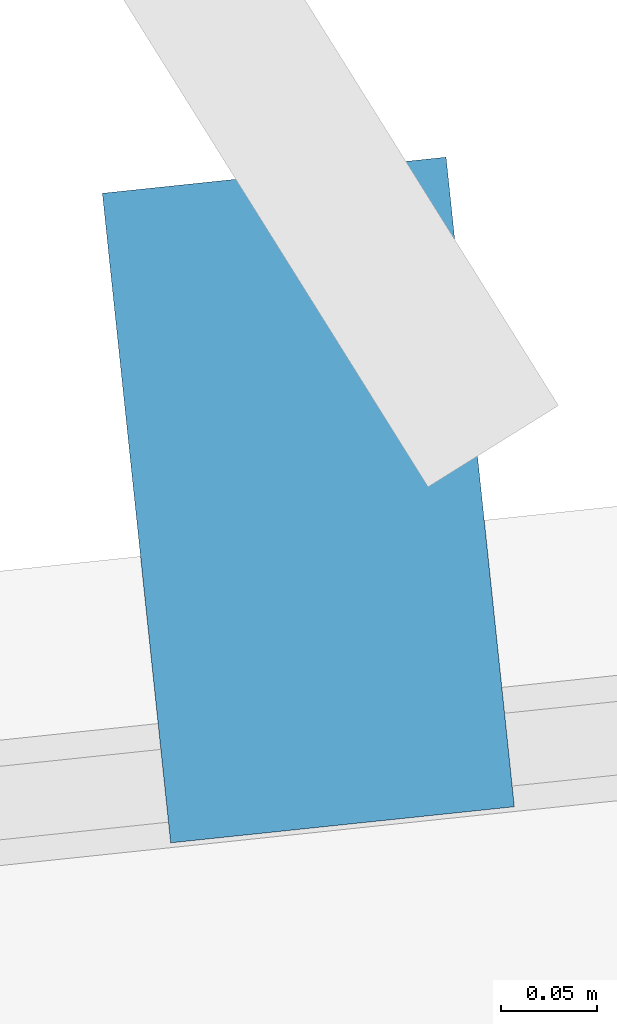
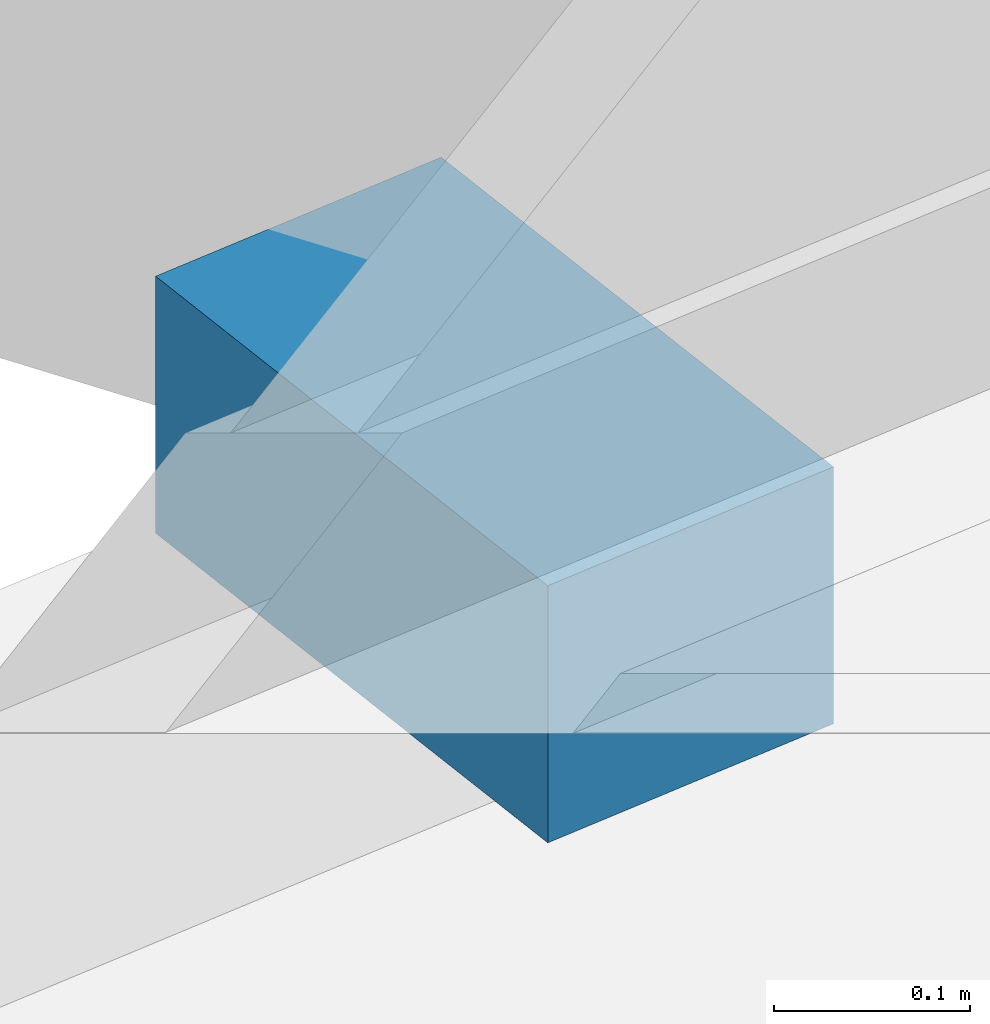
# One storey, part 15 of 20: 1 discrete accessory.
"""IFC4 building model written with IfcOpenShell, lengths in metres."""

from ifc_helpers import new_model, si_unit, direction, frame, origin, origin_2d, place, context, subcontext, project, spatial, rectangle, extrude, material, type_object, element, save


model = new_model("IFC4")

# Units and contexts
model_context = context("Model", 3, precision=1e-05, world=origin(), true_north=direction((0.0, 1.0)))
body_context = subcontext(model_context, "Body", "Model", "MODEL_VIEW")
ifc_project = project(units=[si_unit("LENGTHUNIT", "METRE"), si_unit("AREAUNIT", "SQUARE_METRE"), si_unit("VOLUMEUNIT", "CUBIC_METRE"), si_unit("PLANEANGLEUNIT", "RADIAN"), si_unit("MASSUNIT", "GRAM", prefix="KILO")], contexts=[model_context])

# Site, building, storey
site_placement = place(None, origin())
site = spatial("IfcSite", under=ifc_project, at=site_placement, CompositionType="ELEMENT")
building_placement = place(site_placement, origin())
building = spatial("IfcBuilding", under=site, at=building_placement, Name="Solmavex Isthmus Hotel", CompositionType="ELEMENT")
storey_placement = place(building_placement, frame((0.0, 0.0, 101.85009765625)))
storey = spatial("IfcBuildingStorey", under=building, at=storey_placement, Name="L27", CompositionType="ELEMENT", Elevation=101.85009765625)

# Discrete accessory
ifc_material = material(Name="Steel ASTM A572 Grade 50", Category="steel")
discrete_accessory_type = type_object("IfcDiscreteAccessoryType", Name="ACC-BRK-FIN", PredefinedType="BRACKET", material=ifc_material)
discrete_accessory_placement = place(storey_placement, frame((19.09228515625, 23.2021484375, -0.169921875), z_axis=(0.0, 0.0, 1.0), x_axis=(-0.104528463268, 0.994521895368, 0.0)))
element("IfcDiscreteAccessory", 1, at=discrete_accessory_placement, inside=storey, type_object=discrete_accessory_type, Name="Facade Fin Support Bracket L27-N5", PredefinedType="BRACKET", context=body_context, shape_type="SweptSolid", body=[
    extrude(rectangle(XDim=0.340087890625, YDim=0.179931640625, at=origin_2d()), origin(), (0.0, 0.0, 1.0), 0.159912109375),
])

save(model, "model.ifc")
